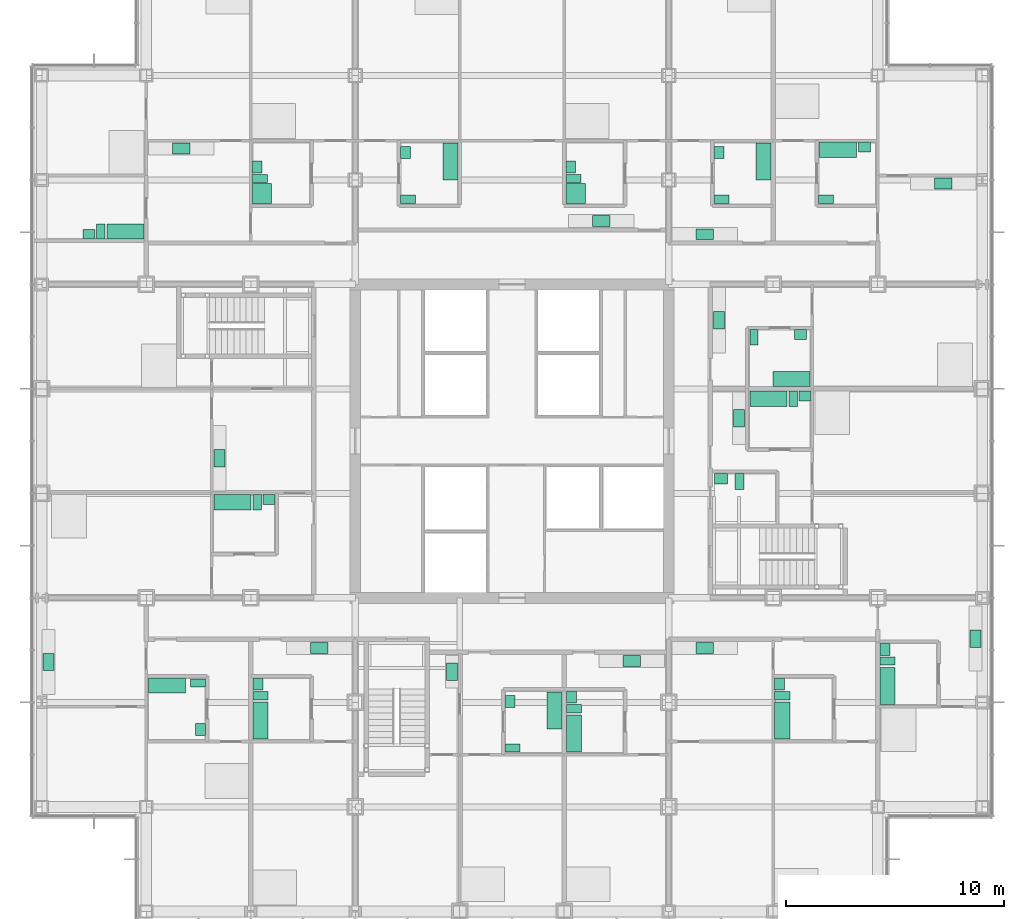
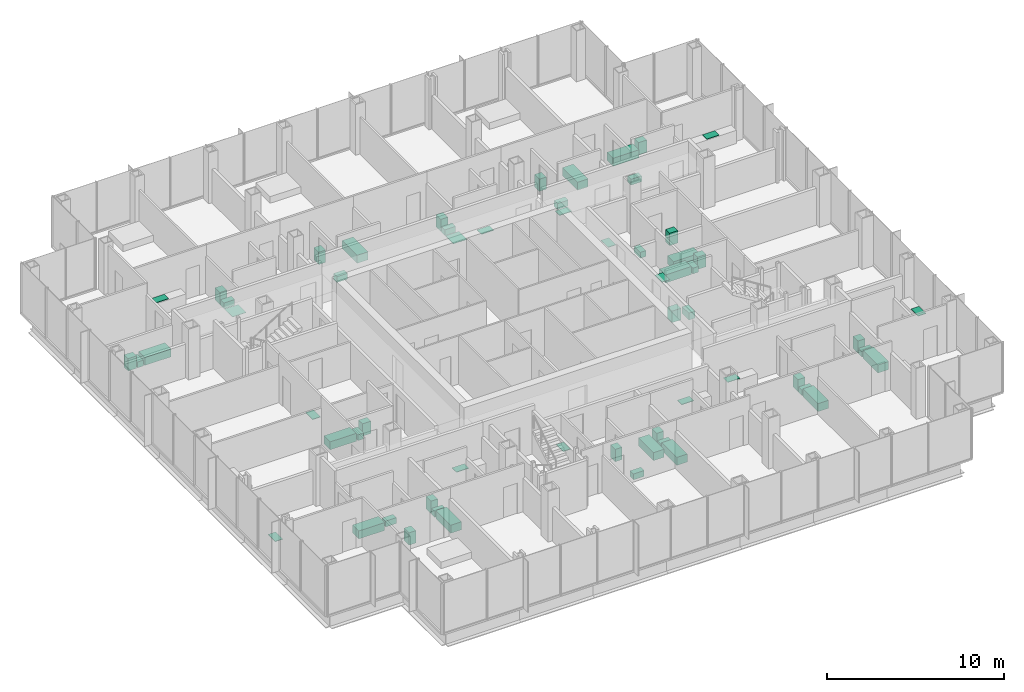
# One storey, part 20 of 21: 60 sanitary terminals.
"""IFC4 building model written with IfcOpenShell, lengths in metres."""

import ifcopenshell
import ifcopenshell.guid

model = None  # the IFC model being written
_history = None  # IfcOwnerHistory: only IFC2X3 demands one
_inside = {}  # id of a spatial element -> (the spatial element, [elements in it])
_under = {}  # id of a project, library or spatial element -> (it, [spatial elements below it])
_declared = {}  # id of a project -> (the project, [libraries it declares])
_typed = {}  # id of a type object -> (the type object, [elements of that type])
_made_of = {}  # id of a material, layer set ... -> (it, [elements and type objects made of it])


def new_model(schema):
    """Start an empty IFC model of exactly this schema.

    Asked for "IFC4X3", IfcOpenShell would pick the latest addendum, in which some entities
    have other attributes; the version numbers below select the first issue.
    IFC2X3 requires an IfcOwnerHistory on every rooted entity: one is made here for all.
    """
    global model, _history
    if schema == "IFC4X3":
        model = ifcopenshell.file(schema_version=(4, 3, 0, 0))
    else:
        model = ifcopenshell.file(schema=schema)
    _inside.clear()
    _under.clear()
    _declared.clear()
    _typed.clear()
    _made_of.clear()
    _history = None
    if model.schema == "IFC2X3":
        org = make("IfcOrganization", Name="unknown")
        user = make(
            "IfcPersonAndOrganization",
            ThePerson=make("IfcPerson", FamilyName="unknown"),
            TheOrganization=org,
        )
        app = make(
            "IfcApplication",
            ApplicationDeveloper=org,
            Version="unknown",
            ApplicationFullName="unknown",
            ApplicationIdentifier="unknown",
        )
        _history = make(
            "IfcOwnerHistory",
            OwningUser=user,
            OwningApplication=app,
            ChangeAction="ADDED",
            CreationDate=0,
        )
    return model


def make(cls, **values):
    """One entity of the class cls with the attributes given. An attribute that is None is left unset."""
    return model.create_entity(
        cls, **{name: value for name, value in values.items() if value is not None}
    )


def rooted(cls, **values):
    """An entity with a GlobalId (a new one), such as an element, a storey or a relation."""
    return make(cls, GlobalId=ifcopenshell.guid.new(), OwnerHistory=_history, **values)


def si_unit(unit_type, name, prefix=None):
    """IfcSIUnit, for example si_unit("LENGTHUNIT", "METRE", prefix="MILLI")."""
    return make("IfcSIUnit", UnitType=unit_type, Prefix=prefix, Name=name)


def assignment(units):
    """IfcUnitAssignment: the units of a project."""
    return None if units is None else make("IfcUnitAssignment", Units=units)


def point(xyz):
    """IfcCartesianPoint."""
    return None if xyz is None else make("IfcCartesianPoint", Coordinates=xyz)


def direction(xyz):
    """IfcDirection."""
    return None if xyz is None else make("IfcDirection", DirectionRatios=xyz)


def frame(location, z_axis=None, x_axis=None):
    """IfcAxis2Placement3D, a coordinate frame: its origin and axes. An axis left out is left unset."""
    return make(
        "IfcAxis2Placement3D",
        Location=point(location),
        Axis=direction(z_axis),
        RefDirection=direction(x_axis),
    )


def frame_2d(location, x_axis=None):
    """IfcAxis2Placement2D, a coordinate frame in the plane: its origin and x axis."""
    return make(
        "IfcAxis2Placement2D", Location=point(location), RefDirection=direction(x_axis)
    )


def origin():
    """The frame at (0, 0, 0) with its axes left unset."""
    return frame((0.0, 0.0, 0.0))


def origin_2d():
    """The frame at (0, 0) in the plane with its x axis left unset."""
    return frame_2d((0.0, 0.0))


def place(relative_to, where):
    """IfcLocalPlacement: puts the frame where relative to a parent placement (None: the world)."""
    return make(
        "IfcLocalPlacement", PlacementRelTo=relative_to, RelativePlacement=where
    )


def context(
    kind, dimensions, precision=None, world=None, true_north=None, identifier=None
):
    """IfcGeometricRepresentationContext, for example the 3D "Model" context."""
    return make(
        "IfcGeometricRepresentationContext",
        ContextIdentifier=identifier,
        ContextType=kind,
        CoordinateSpaceDimension=dimensions,
        Precision=precision,
        WorldCoordinateSystem=world,
        TrueNorth=true_north,
    )


def subcontext(parent, identifier, kind, view, scale=None):
    """IfcGeometricRepresentationSubContext, for example "Body" below "Model"."""
    return make(
        "IfcGeometricRepresentationSubContext",
        ContextIdentifier=identifier,
        ContextType=kind,
        ParentContext=parent,
        TargetScale=scale,
        TargetView=view,
    )


def project(units=None, contexts=None):
    """IfcProject with its units and contexts."""
    return rooted(
        "IfcProject",
        Name="project",
        RepresentationContexts=contexts,
        UnitsInContext=assignment(units),
    )


def spatial(cls, under=None, at=None, **own):
    """A site, building, storey or space (cls), placed at a placement, below another one or the project."""
    s = rooted(cls, ObjectPlacement=at, **own)
    if under is not None:
        _under.setdefault(under.id(), (under, []))[1].append(s)
    return s


def profile(cls, at=None, kind="AREA", **sizes):
    """A parametric profile (cls). Its sizes go by their IFC names, for example OverallWidth=200.0."""
    return make(cls, ProfileType=kind, Position=at, **sizes)


def rectangle(**sizes):
    """IfcRectangleProfileDef."""
    return profile("IfcRectangleProfileDef", **sizes)


def extrude(swept, where, along, depth):
    """IfcExtrudedAreaSolid: the profile swept, set in the frame where, extruded along a direction by depth."""
    return make(
        "IfcExtrudedAreaSolid",
        SweptArea=swept,
        Position=where,
        ExtrudedDirection=direction(along),
        Depth=depth,
    )


def shape(context_of_items, identifier, shape_type, items):
    """IfcShapeRepresentation: the items that make up one representation, for example the "Body"."""
    return make(
        "IfcShapeRepresentation",
        ContextOfItems=context_of_items,
        RepresentationIdentifier=identifier,
        RepresentationType=shape_type,
        Items=items,
    )


def material(Name=None, Category=None):
    """IfcMaterial."""
    return make("IfcMaterial", Name=Name, Category=Category)


def made_of(thing, what):
    """Note that an element or type object is made of a material, layer set ...; save() writes the relation."""
    if what is not None:
        _made_of.setdefault(what.id(), (what, []))[1].append(thing)
    return thing


def type_object(cls, material=None, **own):
    """A type object (cls), such as IfcWallType, which elements share."""
    return made_of(rooted(cls, **own), material)


def element(
    cls,
    number,
    at=None,
    inside=None,
    cuts=None,
    type_object=None,
    material=None,
    context=None,
    identifier="Body",
    shape_type=None,
    held_by="IfcProductDefinitionShape",
    body=None,
    shapes=None,
    **own,
):
    """One element of the class cls, such as IfcWall. Its Tag is "e" and its number.

    at: its placement. inside: the storey or other place that contains it. cuts: it is an
    opening in that element (IfcRelVoidsElement). A single representation is given by context,
    identifier, shape_type and body (its items); several are given by shapes. held_by: the class
    of the entity that holds the representations. save() writes the other relations.
    """
    e = rooted(cls, Tag="e%d" % number, ObjectPlacement=at, **own)
    if body is not None:
        shapes = [shape(context, identifier, shape_type, body)]
    if shapes is not None:
        e.Representation = make(held_by, Representations=shapes)
    if inside is not None:
        _inside.setdefault(inside.id(), (inside, []))[1].append(e)
    if cuts is not None:
        rooted(
            "IfcRelVoidsElement", RelatingBuildingElement=cuts, RelatedOpeningElement=e
        )
    if type_object is not None:
        _typed.setdefault(type_object.id(), (type_object, []))[1].append(e)
    return made_of(e, material)


def aggregate(whole, parts):
    """IfcRelAggregates: a whole, such as a stair, and the parts it consists of."""
    return rooted("IfcRelAggregates", RelatingObject=whole, RelatedObjects=parts)


def save(model, path):
    """Write the relations noted so far, then the file.

    IfcRelAggregates (storeys below a building ...), IfcRelContainedInSpatialStructure (elements
    in a storey), IfcRelDefinesByType, IfcRelAssociatesMaterial and IfcRelDeclares: one each for
    every whole, place, type object, material and project.
    """
    for whole, parts in _under.values():
        aggregate(whole, parts)
    for where, things in _inside.values():
        rooted(
            "IfcRelContainedInSpatialStructure",
            RelatedElements=things,
            RelatingStructure=where,
        )
    for kind, things in _typed.values():
        rooted("IfcRelDefinesByType", RelatedObjects=things, RelatingType=kind)
    for what, things in _made_of.values():
        rooted("IfcRelAssociatesMaterial", RelatedObjects=things, RelatingMaterial=what)
    for by, libraries in _declared.values():
        rooted("IfcRelDeclares", RelatingContext=by, RelatedDefinitions=libraries)
    model.write(path)


model = new_model("IFC4")

# Units and contexts
model_context = context("Model", 3, precision=1e-05, world=origin(), true_north=direction((0.0, 1.0)))
body_context = subcontext(model_context, "Body", "Model", "MODEL_VIEW")
ifc_project = project(units=[si_unit("LENGTHUNIT", "METRE"), si_unit("AREAUNIT", "SQUARE_METRE"), si_unit("VOLUMEUNIT", "CUBIC_METRE"), si_unit("PLANEANGLEUNIT", "RADIAN"), si_unit("MASSUNIT", "GRAM", prefix="KILO")], contexts=[model_context])

# Site, building, storey
site_placement = place(None, origin())
site = spatial("IfcSite", under=ifc_project, at=site_placement, CompositionType="ELEMENT")
building_placement = place(site_placement, origin())
building = spatial("IfcBuilding", under=site, at=building_placement, Name="Kvirike Care Tower", CompositionType="ELEMENT")
storey_placement = place(building_placement, frame((0.0, 0.0, 44.5)))
storey = spatial("IfcBuildingStorey", under=building, at=storey_placement, Name="L11", CompositionType="ELEMENT", Elevation=44.5)

# Sanitary terminals
ifc_material_1 = material(Name="Vitreous china", Category="ceramic")
sanitary_terminal_type_1 = type_object("IfcSanitaryTerminalType", Name="ACCESSIBLE WASH BASIN 600 x 500", PredefinedType="WASHHANDBASIN", material=ifc_material_1)
sanitary_terminal_1_placement = place(storey_placement, frame((31.199951171875, 34.27294921875, 0.02001953125), z_axis=(0.0, 0.0, 1.0), x_axis=(1.0, 0.0, 0.0)))
element("IfcSanitaryTerminal", 1, at=sanitary_terminal_1_placement, inside=storey, type_object=sanitary_terminal_type_1, Name="Accessible wash basin L11-057", PredefinedType="WASHHANDBASIN", context=body_context, shape_type="SweptSolid", body=[
    extrude(rectangle(XDim=0.60009765625, YDim=0.5, at=origin_2d()), origin(), (0.0, 0.0, 1.0), 0.800048828125),
])
ifc_material_2 = material(Name="Vitreous china", Category="ceramic")
sanitary_terminal_type_2 = type_object("IfcSanitaryTerminalType", Name="ACCESSIBLE WC PAN 400 x 750", PredefinedType="TOILETPAN", material=ifc_material_2)
sanitary_terminal_2_placement = place(storey_placement, frame((32.050048828125, 34.14794921875, 0.02001953125), z_axis=(0.0, 0.0, 1.0), x_axis=(1.0, 0.0, 0.0)))
element("IfcSanitaryTerminal", 2, at=sanitary_terminal_2_placement, inside=storey, type_object=sanitary_terminal_type_2, Name="Accessible WC pan L11-057", PredefinedType="TOILETPAN", context=body_context, shape_type="SweptSolid", body=[
    extrude(rectangle(XDim=0.39990234375, YDim=0.75, at=origin_2d()), origin(), (0.0, 0.0, 1.0), 0.47998046875),
])
ifc_material_3 = material(Name="Enamelled steel", Category="steel")
sanitary_terminal_type_3 = type_object("IfcSanitaryTerminalType", Name="BATH 1700 x 700", PredefinedType="BATH", material=ifc_material_3)
for number, where, z_axis, x_axis, name in (
    (3, (5.760009765625, 24.77294921875, 0.02001953125), (0.0, 0.0, 1.0), (1.0, 0.0, 0.0), "Bath L11-004"),
    (4, (10.052001953125, 23.159912109375, 0.02001953125), (0.0, 0.0, 1.0), (0.0, 1.0, 0.0), "Bath L11-008"),
    (5, (8.760009765625, 33.18798828125, 0.02001953125), (0.0, 0.0, 1.0), (1.0, 0.0, 0.0), "Bath L11-015"),
    (6, (3.85009765625, 45.626953125, 0.02001953125), (0.0, 0.0, 1.0), (-1.0, 0.0, 0.0), "Bath L11-024"),
    (7, (23.548095703125, 23.625, 0.02001953125), (0.0, 0.0, 1.0), (0.0, -1.0, 0.0), "Bath L11-031"),
    (8, (24.451904296875, 22.56005859375, 0.02001953125), (0.0, 0.0, 1.0), (0.0, 1.0, 0.0), "Bath L11-035"),
    (9, (18.77294921875, 48.840087890625, 0.02001953125), (0.0, 0.0, 1.0), (0.0, -1.0, 0.0), "Bath L11-042"),
    (10, (34.011962890625, 23.159912109375, 0.02001953125), (0.0, 0.0, 1.0), (0.0, 1.0, 0.0), "Bath L11-047"),
    (11, (38.85205078125, 24.760009765625, 0.02001953125), (0.0, 0.0, 1.0), (0.0, 1.0, 0.0), "Bath L11-051"),
    (12, (33.375, 37.947998046875, 0.02001953125), (0.0, 0.0, 1.0), (1.0, 0.0, 0.0), "Bath L11-058"),
    (13, (34.43994140625, 38.85205078125, 0.02001953125), (0.0, 0.0, 1.0), (-1.0, 0.0, 0.0), "Bath L11-061"),
    (14, (36.574951171875, 49.387939453125, 0.02001953125), (0.0, 0.0, 1.0), (1.0, 0.0, 0.0), "Bath L11-066"),
    (15, (33.14794921875, 48.840087890625, 0.02001953125), (0.0, 0.0, 1.0), (0.0, -1.0, 0.0), "Bath L11-070"),
):
    element("IfcSanitaryTerminal", number, at=place(storey_placement, frame(where, z_axis=z_axis, x_axis=x_axis)), inside=storey, type_object=sanitary_terminal_type_3, Name=name, PredefinedType="BATH", context=body_context, shape_type="SweptSolid", body=[
        extrude(rectangle(XDim=1.699951171875, YDim=0.699951171875, at=origin_2d()), origin(), (0.0, 0.0, 1.0), 0.550048828125),
    ])
ifc_material_4 = material(Name="Stainless steel", Category="steel")
sanitary_terminal_type_4 = type_object("IfcSanitaryTerminalType", Name="KITCHEN SINK 800 x 500", PredefinedType="SINK", material=ifc_material_4)
for number, where, z_axis, x_axis, name in (
    (16, (0.302001953125, 25.8544921875, 0.89990234375), (0.0, 0.0, 1.0), (0.0, 1.0, 0.0), "Kitchen sink L11-005"),
    (17, (12.75, 26.498046875, 0.89990234375), (0.0, 0.0, 1.0), (1.0, 0.0, 0.0), "Kitchen sink L11-009"),
    (18, (8.162109375, 35.2099609375, 0.89990234375), (0.0, 0.0, 1.0), (0.0, 1.0, 0.0), "Kitchen sink L11-017"),
    (19, (6.409912109375, 49.43798828125, 0.89990234375), (0.0, 0.0, 1.0), (1.0, 0.0, 0.0), "Kitchen sink L11-026"),
    (20, (18.837890625, 25.39990234375, 0.89990234375), (0.0, 0.0, 1.0), (0.0, -1.0, 0.0), "Kitchen sink L11-032"),
    (21, (27.10009765625, 25.89794921875, 0.89990234375), (0.0, 0.0, 1.0), (1.0, 0.0, 0.0), "Kitchen sink L11-036"),
    (22, (25.699951171875, 46.10205078125, 0.89990234375), (0.0, 0.0, 1.0), (-1.0, 0.0, 0.0), "Kitchen sink L11-043"),
    (23, (30.449951171875, 26.498046875, 0.89990234375), (0.0, 0.0, 1.0), (1.0, 0.0, 0.0), "Kitchen sink L11-048"),
    (24, (42.89794921875, 26.929931640625, 0.89990234375), (0.0, 0.0, 1.0), (0.0, -1.0, 0.0), "Kitchen sink L11-052"),
    (25, (32.02294921875, 37.050048828125, 0.89990234375), (0.0, 0.0, 1.0), (0.0, -1.0, 0.0), "Kitchen sink L11-059"),
    (26, (31.10205078125, 41.550048828125, 0.89990234375), (0.0, 0.0, 1.0), (0.0, 1.0, 0.0), "Kitchen sink L11-062"),
    (27, (41.409912109375, 47.837890625, 0.89990234375), (0.0, 0.0, 1.0), (1.0, 0.0, 0.0), "Kitchen sink L11-067"),
    (28, (30.449951171875, 45.501953125, 0.89990234375), (0.0, 0.0, 1.0), (-1.0, 0.0, 0.0), "Kitchen sink L11-071"),
):
    element("IfcSanitaryTerminal", number, at=place(storey_placement, frame(where, z_axis=z_axis, x_axis=x_axis)), inside=storey, type_object=sanitary_terminal_type_4, Name=name, PredefinedType="SINK", context=body_context, shape_type="SweptSolid", body=[
        extrude(rectangle(XDim=0.800048828125, YDim=0.5, at=origin_2d()), origin(), (0.0, 0.0, 1.0), 0.030029296875),
    ])
ifc_material_5 = material(Name="Stainless steel", Category="steel")
sanitary_terminal_type_5 = type_object("IfcSanitaryTerminalType", Name="LEVEL-ACCESS SHOWER 900 x 900", PredefinedType="SHOWER", material=ifc_material_5)
for number, where, z_axis, x_axis, name in (
    (29, (10.112060546875, 47.375, 0.02001953125), (0.0, 0.0, 1.0), (0.0, 1.0, 0.0), "Level-access shower L11-023"),
    (30, (24.527099609375, 47.375, 0.02001953125), (0.0, 0.0, 1.0), (0.0, 1.0, 0.0), "Level-access shower L11-041"),
):
    element("IfcSanitaryTerminal", number, at=place(storey_placement, frame(where, z_axis=z_axis, x_axis=x_axis)), inside=storey, type_object=sanitary_terminal_type_5, Name=name, PredefinedType="SHOWER", context=body_context, shape_type="SweptSolid", body=[
        extrude(rectangle(XDim=0.89990234375, YDim=0.89990234375, at=origin_2d()), origin(), (0.0, 0.0, 1.0), 0.02001953125),
    ])
ifc_material_6 = material(Name="Vitreous china", Category="ceramic")
sanitary_terminal_type_6 = type_object("IfcSanitaryTerminalType", Name="WASH BASIN 550 x 450", PredefinedType="WASHHANDBASIN", material=ifc_material_6)
for number, where, z_axis, x_axis, name in (
    (31, (7.298095703125, 22.75, 0.02001953125), (0.0, 0.0, 1.0), (0.0, -1.0, 0.0), "Wash basin L11-004"),
    (32, (9.927001953125, 24.8349609375, 0.02001953125), (0.0, 0.0, 1.0), (0.0, 1.0, 0.0), "Wash basin L11-008"),
    (33, (10.43505859375, 33.31298828125, 0.02001953125), (0.0, 0.0, 1.0), (1.0, 0.0, 0.0), "Wash basin L11-015"),
    (34, (9.886962890625, 48.60009765625, 0.02001953125), (0.0, 0.0, 1.0), (0.0, 1.0, 0.0), "Wash basin L11-023"),
    (35, (2.175048828125, 45.501953125, 0.02001953125), (0.0, 0.0, 1.0), (-1.0, 0.0, 0.0), "Wash basin L11-024"),
    (36, (21.501953125, 24.034912109375, 0.02001953125), (0.0, 0.0, 1.0), (0.0, 1.0, 0.0), "Wash basin L11-031"),
    (37, (24.326904296875, 24.235107421875, 0.02001953125), (0.0, 0.0, 1.0), (0.0, 1.0, 0.0), "Wash basin L11-035"),
    (38, (24.302001953125, 48.60009765625, 0.02001953125), (0.0, 0.0, 1.0), (0.0, 1.0, 0.0), "Wash basin L11-041"),
    (39, (16.701904296875, 49.25, 0.02001953125), (0.0, 0.0, 1.0), (0.0, 1.0, 0.0), "Wash basin L11-042"),
    (40, (33.886962890625, 24.8349609375, 0.02001953125), (0.0, 0.0, 1.0), (0.0, 1.0, 0.0), "Wash basin L11-047"),
    (41, (38.72705078125, 26.43505859375, 0.02001953125), (0.0, 0.0, 1.0), (0.0, 1.0, 0.0), "Wash basin L11-051"),
    (42, (35.050048828125, 38.072998046875, 0.02001953125), (0.0, 0.0, 1.0), (1.0, 0.0, 0.0), "Wash basin L11-058"),
    (43, (34.85009765625, 40.89794921875, 0.02001953125), (0.0, 0.0, 1.0), (1.0, 0.0, 0.0), "Wash basin L11-061"),
    (44, (37.800048828125, 49.512939453125, 0.02001953125), (0.0, 0.0, 1.0), (1.0, 0.0, 0.0), "Wash basin L11-066"),
    (45, (31.10205078125, 49.25, 0.02001953125), (0.0, 0.0, 1.0), (0.0, 1.0, 0.0), "Wash basin L11-070"),
):
    element("IfcSanitaryTerminal", number, at=place(storey_placement, frame(where, z_axis=z_axis, x_axis=x_axis)), inside=storey, type_object=sanitary_terminal_type_6, Name=name, PredefinedType="WASHHANDBASIN", context=body_context, shape_type="SweptSolid", body=[
        extrude(rectangle(XDim=0.550048828125, YDim=0.449951171875, at=origin_2d()), origin(), (0.0, 0.0, 1.0), 0.85009765625),
    ])
ifc_material_7 = material(Name="Vitreous china", Category="ceramic")
sanitary_terminal_type_7 = type_object("IfcSanitaryTerminalType", Name="WC PAN 380 x 700", PredefinedType="TOILETPAN", material=ifc_material_7)
for number, where, z_axis, x_axis, name in (
    (46, (7.173095703125, 24.885009765625, 0.02001953125), (0.0, 0.0, 1.0), (0.0, -1.0, 0.0), "WC pan L11-004"),
    (47, (10.052001953125, 24.300048828125, 0.02001953125), (0.0, 0.0, 1.0), (0.0, 1.0, 0.0), "WC pan L11-008"),
    (48, (9.89990234375, 33.18798828125, 0.02001953125), (0.0, 0.0, 1.0), (1.0, 0.0, 0.0), "WC pan L11-015"),
    (49, (10.011962890625, 48.06494140625, 0.02001953125), (0.0, 0.0, 1.0), (0.0, 1.0, 0.0), "WC pan L11-023"),
    (50, (2.7099609375, 45.626953125, 0.02001953125), (0.0, 0.0, 1.0), (-1.0, 0.0, 0.0), "WC pan L11-024"),
    (51, (21.626953125, 21.89990234375, 0.02001953125), (0.0, 0.0, 1.0), (0.0, 1.0, 0.0), "WC pan L11-031"),
    (52, (24.451904296875, 23.699951171875, 0.02001953125), (0.0, 0.0, 1.0), (0.0, 1.0, 0.0), "WC pan L11-035"),
    (53, (24.427001953125, 48.06494140625, 0.02001953125), (0.0, 0.0, 1.0), (0.0, 1.0, 0.0), "WC pan L11-041"),
    (54, (16.826904296875, 47.114990234375, 0.02001953125), (0.0, 0.0, 1.0), (0.0, 1.0, 0.0), "WC pan L11-042"),
    (55, (34.011962890625, 24.300048828125, 0.02001953125), (0.0, 0.0, 1.0), (0.0, 1.0, 0.0), "WC pan L11-047"),
    (56, (38.85205078125, 25.89990234375, 0.02001953125), (0.0, 0.0, 1.0), (0.0, 1.0, 0.0), "WC pan L11-051"),
    (57, (34.514892578125, 37.947998046875, 0.02001953125), (0.0, 0.0, 1.0), (1.0, 0.0, 0.0), "WC pan L11-058"),
    (58, (32.715087890625, 40.77294921875, 0.02001953125), (0.0, 0.0, 1.0), (1.0, 0.0, 0.0), "WC pan L11-061"),
    (59, (36.027099609375, 47.114990234375, 0.02001953125), (0.0, 0.0, 1.0), (0.0, 1.0, 0.0), "WC pan L11-066"),
    (60, (31.22705078125, 47.114990234375, 0.02001953125), (0.0, 0.0, 1.0), (0.0, 1.0, 0.0), "WC pan L11-070"),
):
    element("IfcSanitaryTerminal", number, at=place(storey_placement, frame(where, z_axis=z_axis, x_axis=x_axis)), inside=storey, type_object=sanitary_terminal_type_7, Name=name, PredefinedType="TOILETPAN", context=body_context, shape_type="SweptSolid", body=[
        extrude(rectangle(XDim=0.3798828125, YDim=0.699951171875, at=origin_2d()), origin(), (0.0, 0.0, 1.0), 0.39990234375),
    ])

save(model, "model.ifc")
